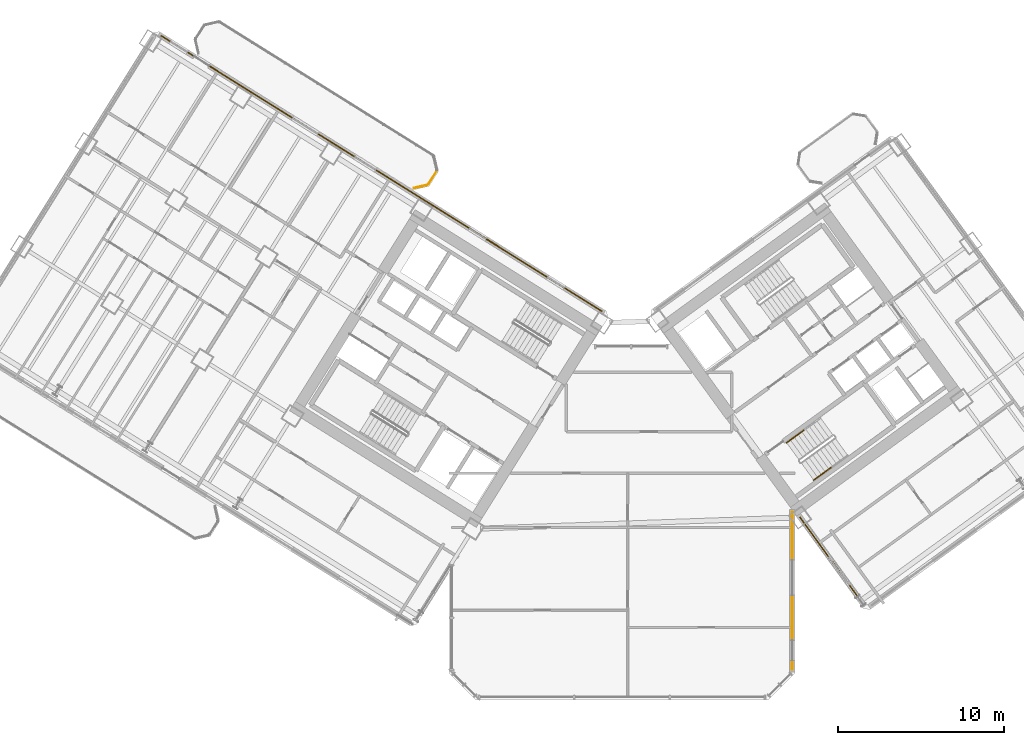
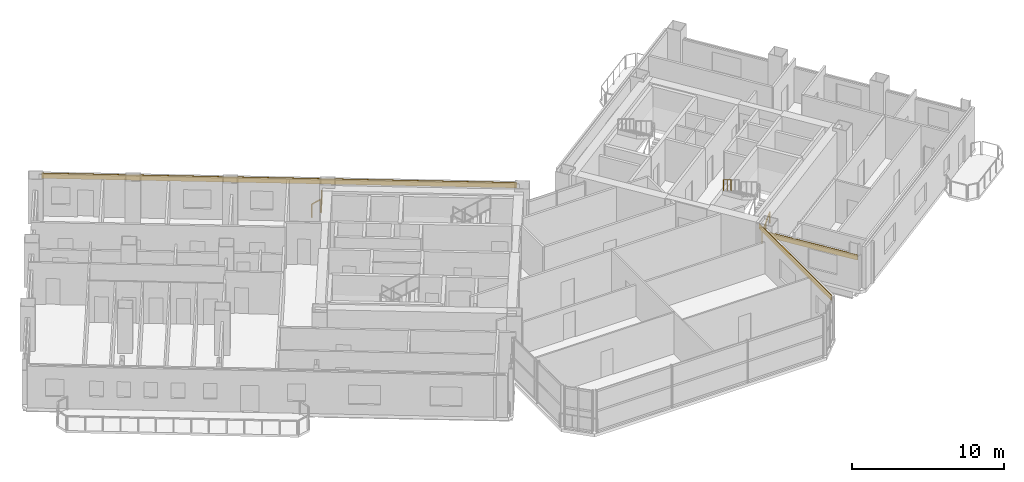
# One storey, part 25 of 28: 4 railings, 3 coverings.
"""IFC4 building model written with IfcOpenShell, lengths in metres."""

from ifc_helpers import new_model, si_unit, direction, frame, origin, origin_2d, place, context, subcontext, project, spatial, rectangle, extrude, source, transform, mapped, material, layer, layer_set, type_object, element, save


model = new_model("IFC4")

# Units and contexts
model_context = context("Model", 3, precision=1e-05, world=origin(), true_north=direction((0.0, 1.0)))
body_context = subcontext(model_context, "Body", "Model", "MODEL_VIEW")
ifc_project = project(units=[si_unit("LENGTHUNIT", "METRE"), si_unit("AREAUNIT", "SQUARE_METRE"), si_unit("VOLUMEUNIT", "CUBIC_METRE"), si_unit("PLANEANGLEUNIT", "RADIAN"), si_unit("MASSUNIT", "GRAM", prefix="KILO")], contexts=[model_context])

# Site, building, storey
site_placement = place(None, origin())
site = spatial("IfcSite", under=ifc_project, at=site_placement, CompositionType="ELEMENT")
building_placement = place(site_placement, origin())
building = spatial("IfcBuilding", under=site, at=building_placement, Name="Tlacorven Tower", CompositionType="ELEMENT")
storey_placement = place(building_placement, frame((0.0, 0.0, 63.60009765625)))
storey = spatial("IfcBuildingStorey", under=building, at=storey_placement, Name="L16", CompositionType="ELEMENT", Elevation=63.60009765625)

# Railings
ifc_material_1 = material(Name="Aluminium and painted steel balustrade", Category="steel")
railing_type_1 = type_object("IfcRailingType", Name="RL-BAL-1100", PredefinedType="BALUSTRADE", material=ifc_material_1)
shared_shape_1 = source(origin(), body_context, "Body", "SweptSolid", [
    extrude(rectangle(XDim=0.048095703125, YDim=0.048095703125, at=origin_2d()), frame((0.0, 0.0, 1.076171875), z_axis=(-0.52987865805, -0.848073468364, 0.0), x_axis=(0.848073468364, -0.52987865805, 0.0)), (0.0, 0.0, 1.0), 0.912353515625),
    extrude(rectangle(XDim=0.0419921875, YDim=0.0419921875, at=origin_2d()), origin(), (0.0, 0.0, 1.0), 1.052001953125),
    extrude(rectangle(XDim=0.0419921875, YDim=0.0419921875, at=origin_2d()), frame((-0.4833984375, -0.773681640625, 0.0)), (0.0, 0.0, 1.0), 1.052001953125),
])
railing_1_placement = place(storey_placement, frame((30.845947265625, 33.588623046875, 0.0)))
element("IfcRailing", 1, at=railing_1_placement, inside=storey, type_object=railing_type_1, Name="BAL-L16-W-IN Guard Railing 2", PredefinedType="BALUSTRADE", context=body_context, shape_type="MappedRepresentation", body=[
    mapped(shared_shape_1, transform((0.0, 0.0, 0.0), scale=1.0)),
])
shared_shape_2 = source(origin(), body_context, "Body", "SweptSolid", [
    extrude(rectangle(XDim=0.048095703125, YDim=0.048095703125, at=origin_2d()), frame((0.0, 0.0, 1.076171875), z_axis=(-0.974345290916, -0.225058334816, 0.0), x_axis=(0.225058334816, -0.974345290916, 0.0)), (0.0, 0.0, 1.0), 0.80712890625),
    extrude(rectangle(XDim=0.0419921875, YDim=0.0419921875, at=origin_2d()), origin(), (0.0, 0.0, 1.0), 1.052001953125),
    extrude(rectangle(XDim=0.0419921875, YDim=0.0419921875, at=origin_2d()), frame((-0.786376953125, -0.181640625, 0.0)), (0.0, 0.0, 1.0), 1.052001953125),
])
railing_2_placement = place(storey_placement, frame((30.287353515625, 32.761474609375, 0.0)))
element("IfcRailing", 2, at=railing_2_placement, inside=storey, type_object=railing_type_1, Name="BAL-L16-W-IN Guard Railing 3", PredefinedType="BALUSTRADE", context=body_context, shape_type="MappedRepresentation", body=[
    mapped(shared_shape_2, transform((0.0, 0.0, 0.0), scale=1.0)),
])

# Coverings
ifc_material_2 = material(Name="Precast concrete C45/55", Category="concrete")
ifc_layer = layer(ifc_material_2, 0.06005859375)
ifc_layer_set = layer_set([ifc_layer], Name="Precast concrete C45/55")
covering_type = type_object("IfcCoveringType", Name="CV-CLD-TERC", PredefinedType="CLADDING", material=ifc_layer_set)
shared_shape_3 = source(origin(), body_context, "Body", "SweptSolid", [
    extrude(rectangle(XDim=31.287353515625, YDim=0.06005859375, at=origin_2d()), origin(), (0.0, 0.0, 1.0), 0.419921875),
])
covering_1_placement = place(storey_placement, frame((27.5322265625, 33.455810546875, 2.929931640625), z_axis=(0.0, 0.0, 1.0), x_axis=(0.84804812172, -0.529919223323, 0.0)))
element("IfcCovering", 3, at=covering_1_placement, inside=storey, type_object=covering_type, Name="L16 Masonry-Frame Spandrel Cladding 3", PredefinedType="CLADDING", context=body_context, shape_type="MappedRepresentation", body=[
    mapped(shared_shape_3, transform((0.0, 0.0, 0.0), scale=1.0)),
])
shared_shape_4 = source(origin(), body_context, "Body", "SweptSolid", [
    extrude(rectangle(XDim=6.4736328125, YDim=0.06005859375, at=origin_2d()), origin(), (0.0, 0.0, 1.0), 0.419921875),
])
covering_2_placement = place(storey_placement, frame((54.59033203125, 10.178955078125, 2.304931640625), z_axis=(0.0, 0.0, 1.0), x_axis=(-0.587785622053, 0.809016725728, 0.0)))
element("IfcCovering", 4, at=covering_2_placement, inside=storey, type_object=covering_type, Name="L16 Masonry-Frame Spandrel Cladding 7", PredefinedType="CLADDING", context=body_context, shape_type="MappedRepresentation", body=[
    mapped(shared_shape_4, transform((0.0, 0.0, 0.0), scale=1.0)),
])
shared_shape_5 = source(origin(), body_context, "Body", "SweptSolid", [
    extrude(rectangle(XDim=9.49462890625, YDim=0.06005859375, at=origin_2d()), origin(), (0.0, 0.0, 1.0), 0.419921875),
])
covering_3_placement = place(storey_placement, frame((52.239990234375, 8.363525390625, 2.929931640625), z_axis=(0.0, 0.0, 1.0), x_axis=(0.0, -1.0, 0.0)))
element("IfcCovering", 5, at=covering_3_placement, inside=storey, type_object=covering_type, Name="L16 Masonry-Frame Spandrel Cladding 8", PredefinedType="CLADDING", context=body_context, shape_type="MappedRepresentation", body=[
    mapped(shared_shape_5, transform((0.0, 0.0, 0.0), scale=1.0)),
])

# Railings
railing_type_2 = type_object("IfcRailingType", Name="RL-HND-0900", PredefinedType="HANDRAIL", material=ifc_material_1)
shared_shape_6 = source(origin(), body_context, "Body", "SweptSolid", [
    extrude(rectangle(XDim=0.048095703125, YDim=0.048095703125, at=origin_2d()), frame((0.0, 0.0, 0.8759765625), z_axis=(-0.680461216233, -0.494495647917, 0.540783309093), x_axis=(0.587872112667, -0.808953879494, 0.0)), (0.0, 0.0, 1.0), 1.498046875),
    extrude(rectangle(XDim=0.0419921875, YDim=0.0419921875, at=origin_2d()), origin(), (0.0, 0.0, 1.0), 0.851806640625),
    extrude(rectangle(XDim=0.0419921875, YDim=0.0419921875, at=origin_2d()), frame((-0.509765625, -0.370361328125, 0.405029296875)), (0.0, 0.0, 1.0), 0.851806640625),
    extrude(rectangle(XDim=0.0419921875, YDim=0.0419921875, at=origin_2d()), frame((-1.019287109375, -0.74072265625, 0.81005859375)), (0.0, 0.0, 1.0), 0.851806640625),
])
railing_3_placement = place(storey_placement, frame((52.9189453125, 18.0087890625, 2.789794921875)))
element("IfcRailing", 6, at=railing_3_placement, inside=storey, type_object=railing_type_2, Name="L16 ST-E2 stair handrail 4", PredefinedType="HANDRAIL", context=body_context, shape_type="MappedRepresentation", body=[
    mapped(shared_shape_6, transform((0.0, 0.0, 0.0), scale=1.0)),
])
shared_shape_7 = source(origin(), body_context, "Body", "SweptSolid", [
    extrude(rectangle(XDim=0.048095703125, YDim=0.048095703125, at=origin_2d()), frame((0.0, 0.0, 0.8759765625), z_axis=(0.680461216233, 0.494495647917, 0.540783309093), x_axis=(-0.587872112667, 0.808953879494, 0.0)), (0.0, 0.0, 1.0), 1.498046875),
    extrude(rectangle(XDim=0.0419921875, YDim=0.0419921875, at=origin_2d()), origin(), (0.0, 0.0, 1.0), 0.851806640625),
    extrude(rectangle(XDim=0.0419921875, YDim=0.0419921875, at=origin_2d()), frame((0.509765625, 0.370361328125, 0.405029296875)), (0.0, 0.0, 1.0), 0.851806640625),
    extrude(rectangle(XDim=0.0419921875, YDim=0.0419921875, at=origin_2d()), frame((1.019287109375, 0.74072265625, 0.81005859375)), (0.0, 0.0, 1.0), 0.851806640625),
])
railing_4_placement = place(storey_placement, frame((53.53369140625, 15.01904296875, 0.179931640625)))
element("IfcRailing", 7, at=railing_4_placement, inside=storey, type_object=railing_type_2, Name="L16 ST-E2 stair handrail 1", PredefinedType="HANDRAIL", context=body_context, shape_type="MappedRepresentation", body=[
    mapped(shared_shape_7, transform((0.0, 0.0, 0.0), scale=1.0)),
])

save(model, "model.ifc")
